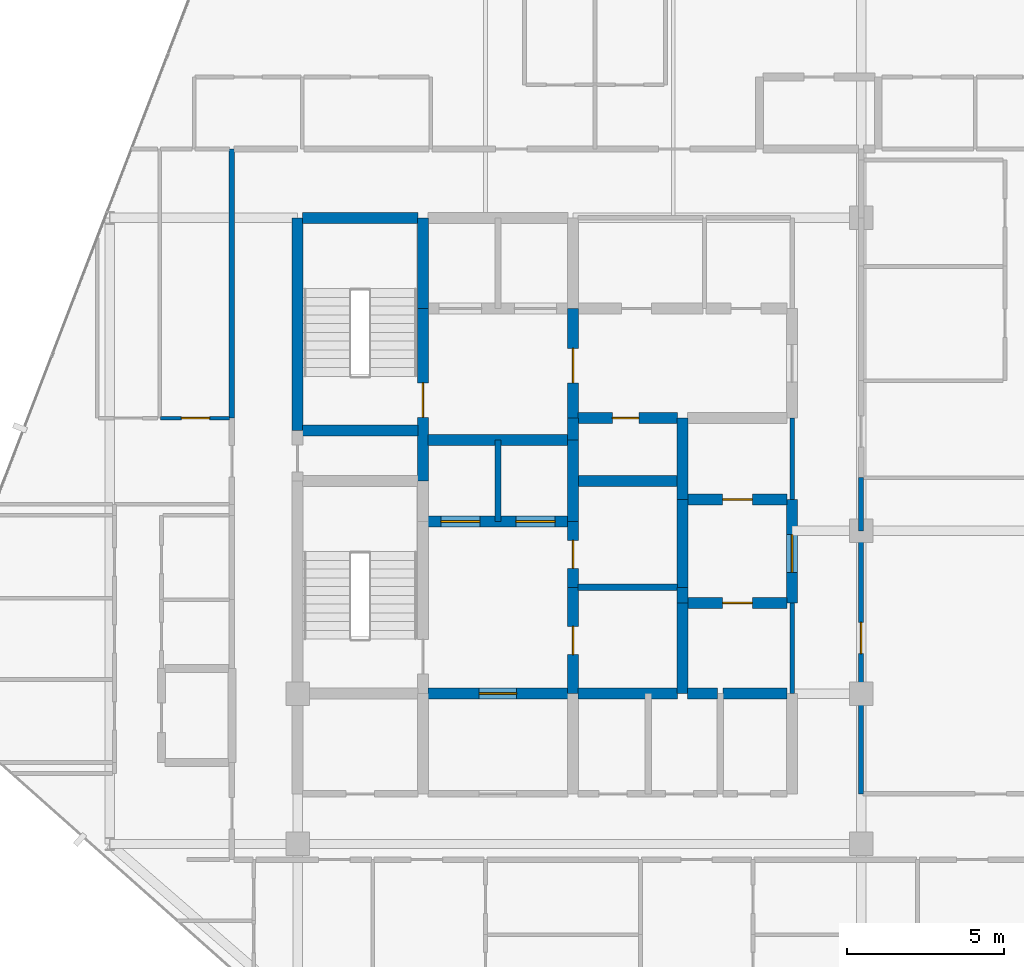
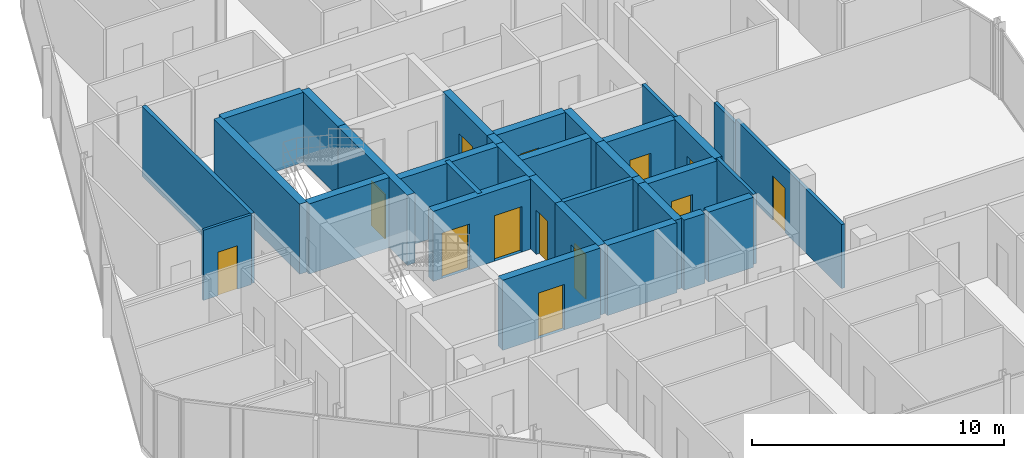
# One storey, part 24 of 28: 33 walls, 13 doors, 13 openings.
"""IFC4 building model written with IfcOpenShell, lengths in metres."""

from ifc_helpers import new_model, si_unit, direction, frame, frame_2d, origin, place, context, subcontext, project, spatial, rectangle, extrude, material, layer, layer_set, type_object, element, fill, save


model = new_model("IFC4")

# Units and contexts
model_context = context("Model", 3, precision=1e-05, world=origin(), true_north=direction((0.0, 1.0)))
body_context = subcontext(model_context, "Body", "Model", "MODEL_VIEW")
ifc_project = project(units=[si_unit("LENGTHUNIT", "METRE"), si_unit("AREAUNIT", "SQUARE_METRE"), si_unit("VOLUMEUNIT", "CUBIC_METRE"), si_unit("PLANEANGLEUNIT", "RADIAN"), si_unit("MASSUNIT", "GRAM", prefix="KILO")], contexts=[model_context])

# Site, building, storey
site_placement = place(None, origin())
site = spatial("IfcSite", under=ifc_project, at=site_placement, CompositionType="ELEMENT")
building_placement = place(site_placement, origin())
building = spatial("IfcBuilding", under=site, at=building_placement, Name="Keshet Zoharim Tower", CompositionType="ELEMENT")
storey_placement = place(building_placement, frame((0.0, 0.0, 251.0)))
storey = spatial("IfcBuildingStorey", under=building, at=storey_placement, Name="L62", CompositionType="ELEMENT", Elevation=251.0)

# Walls
ifc_material_1 = material(Name="Gypsum Plasterboard", Category="gypsum")
ifc_layer_1 = layer(ifc_material_1, 0.14990234375)
ifc_layer_set_1 = layer_set([ifc_layer_1], Name="Gypsum Plasterboard")
wall_type_1 = type_object("IfcWallType", Name="WL-CLIN-150", PredefinedType="STANDARD", material=ifc_layer_set_1)
wall_1_placement = place(storey_placement, frame((30.800048828125, 22.699951171875, 0.0), z_axis=(0.0, 0.0, 1.0), x_axis=(0.0, 1.0, 0.0)))
element("IfcWall", 1, at=wall_1_placement, inside=storey, type_object=wall_type_1, Name="L62 Interior Wall 068", PredefinedType="STANDARD", context=body_context, shape_type="SweptSolid", body=[
    extrude(rectangle(XDim=2.900146484375, YDim=0.14990234375, at=frame_2d((1.4501953125, 0.0))), origin(), (0.0, 0.0, 1.0), 3.389892578125),
])
wall_2_placement = place(storey_placement, frame((30.800048828125, 28.89990234375, 0.0), z_axis=(0.0, 0.0, 1.0), x_axis=(0.0, 1.0, 0.0)))
element("IfcWall", 2, at=wall_2_placement, inside=storey, type_object=wall_type_1, Name="L62 Interior Wall 070", PredefinedType="STANDARD", context=body_context, shape_type="SweptSolid", body=[
    extrude(rectangle(XDim=2.60009765625, YDim=0.14990234375, at=frame_2d((1.300048828125, 0.0))), origin(), (0.0, 0.0, 1.0), 3.389892578125),
])

# Wall, opening, door
wall_3_placement = place(storey_placement, frame((33.0, 19.5, 0.0), z_axis=(0.0, 0.0, 1.0), x_axis=(0.0, 1.0, 0.0)))
wall_3 = element("IfcWall", 3, at=wall_3_placement, inside=storey, type_object=wall_type_1, Name="L62 Interior Wall 074", PredefinedType="STANDARD", context=body_context, shape_type="SweptSolid", body=[
    extrude(rectangle(XDim=8.39990234375, YDim=0.14990234375, at=frame_2d((4.199951171875, 0.0))), origin(), (0.0, 0.0, 1.0), 3.10009765625),
])
opening_1_placement = place(wall_3_placement, frame((4.47998046875, 0.0, 0.0)))
opening_1 = element("IfcOpeningElement", 4, at=opening_1_placement, cuts=wall_3, Name="Opening D-F310", PredefinedType="OPENING", context=body_context, shape_type="SweptSolid", body=[
    extrude(rectangle(XDim=1.0, YDim=2.14990234375, at=frame_2d((0.5, 1.074951171875))), frame((0.0, 0.0849609375, 0.0), z_axis=(0.0, -1.0, 0.0), x_axis=(1.0, 0.0, 0.0)), (0.0, 0.0, 1.0), 0.169921875),
])
ifc_material_2 = material(Name="Hardwood Timber", Category="wood")
door_type_1 = type_object("IfcDoorType", Name="DR-FD30-100", OperationType="NOTDEFINED", PredefinedType="DOOR", material=ifc_material_2)
door_1_placement = place(opening_1_placement, origin())
door_1 = element("IfcDoor", 5, at=door_1_placement, inside=storey, type_object=door_type_1, Name="L62 South West Residents Services Suite Door 1", OperationType="SINGLE_SWING_RIGHT", OverallHeight=2.14990234375, OverallWidth=1.0, PredefinedType="DOOR", context=body_context, shape_type="SweptSolid", body=[
    extrude(rectangle(XDim=1.0, YDim=2.14990234375, at=frame_2d((0.5, 1.074951171875))), frame((0.0, 0.02490234375, 0.0), z_axis=(0.0, -1.0, 0.0), x_axis=(1.0, 0.0, 0.0)), (0.0, 0.0, 1.0), 0.050048828125),
])
fill(opening_1, door_1)

# Walls
wall_4_placement = place(storey_placement, frame((33.0, 27.89990234375, 0.0), z_axis=(0.0, 0.0, 1.0), x_axis=(0.0, 1.0, 0.0)))
element("IfcWall", 6, at=wall_4_placement, inside=storey, type_object=wall_type_1, Name="L62 Interior Wall 074 Part 2", PredefinedType="STANDARD", context=body_context, shape_type="SweptSolid", body=[
    extrude(rectangle(XDim=1.7001953125, YDim=0.14990234375, at=frame_2d((0.85009765625, 0.0))), origin(), (0.0, 0.0, 1.0), 2.889892578125),
])
ifc_material_3 = material(Name="Concrete C60/75", Category="concrete")
ifc_layer_2 = layer(ifc_material_3, 0.35009765625)
ifc_layer_set_2 = layer_set([ifc_layer_2], Name="Concrete C60/75")
wall_type_2 = type_object("IfcWallType", Name="WL-CORE-350", PredefinedType="SHEAR", material=ifc_layer_set_2)
wall_5_placement = place(storey_placement, frame((15.0, 31.10009765625, 0.0), z_axis=(0.0, 0.0, 1.0), x_axis=(0.0, 1.0, 0.0)))
element("IfcWall", 7, at=wall_5_placement, inside=storey, type_object=wall_type_2, Name="L62 Core Shear Wall 023", PredefinedType="SHEAR", context=body_context, shape_type="SweptSolid", body=[
    extrude(rectangle(XDim=6.7998046875, YDim=0.35009765625, at=frame_2d((3.39990234375, 0.0))), origin(), (0.0, 0.0, 1.0), 3.389892578125),
])

# Wall, opening, door
wall_6_placement = place(storey_placement, frame((19.0, 29.5, 0.0), z_axis=(0.0, 0.0, 1.0), x_axis=(0.0, 1.0, 0.0)))
wall_6 = element("IfcWall", 8, at=wall_6_placement, inside=storey, type_object=wall_type_2, Name="L62 Core Shear Wall 030", PredefinedType="SHEAR", context=body_context, shape_type="SweptSolid", body=[
    extrude(rectangle(XDim=5.5, YDim=0.35009765625, at=frame_2d((2.75, 0.0))), origin(), (0.0, 0.0, 1.0), 3.389892578125),
])
opening_2_placement = place(wall_6_placement, frame((2.02490234375, 0.0, 0.0)))
opening_2 = element("IfcOpeningElement", 9, at=opening_2_placement, cuts=wall_6, Name="Opening D-F611", PredefinedType="OPENING", context=body_context, shape_type="SweptSolid", body=[
    extrude(rectangle(XDim=1.10009765625, YDim=2.14990234375, at=frame_2d((0.550048828125, 1.074951171875))), frame((0.0, 0.18505859375, 0.0), z_axis=(0.0, -1.0, 0.0), x_axis=(1.0, 0.0, 0.0)), (0.0, 0.0, 1.0), 0.3701171875),
])
door_type_2 = type_object("IfcDoorType", Name="DR-FD60-110", OperationType="NOTDEFINED", PredefinedType="DOOR", material=ifc_material_2)
door_2_placement = place(opening_2_placement, origin())
door_2 = element("IfcDoor", 10, at=door_2_placement, inside=storey, type_object=door_type_2, Name="L62 Exit Stair ST-02 Fire Door", OperationType="SINGLE_SWING_RIGHT", OverallHeight=2.14990234375, OverallWidth=1.10009765625, PredefinedType="DOOR", context=body_context, shape_type="SweptSolid", body=[
    extrude(rectangle(XDim=1.10009765625, YDim=2.14990234375, at=frame_2d((0.550048828125, 1.074951171875))), frame((0.0, 0.02490234375, 0.0), z_axis=(0.0, -1.0, 0.0), x_axis=(1.0, 0.0, 0.0)), (0.0, 0.0, 1.0), 0.050048828125),
])
fill(opening_2, door_2)

# Wall
wall_7_placement = place(storey_placement, frame((19.0, 35.0, 0.0), z_axis=(0.0, 0.0, 1.0), x_axis=(0.0, 1.0, 0.0)))
element("IfcWall", 11, at=wall_7_placement, inside=storey, type_object=wall_type_2, Name="L62 Core Shear Wall 031", PredefinedType="SHEAR", context=body_context, shape_type="SweptSolid", body=[
    extrude(rectangle(XDim=2.89990234375, YDim=0.35009765625, at=frame_2d((1.449951171875, 0.0))), origin(), (0.0, 0.0, 1.0), 3.389892578125),
])

# Wall, opening, door
wall_8_placement = place(storey_placement, frame((23.800048828125, 22.699951171875, 0.0), z_axis=(0.0, 0.0, 1.0), x_axis=(0.0, 1.0, 0.0)))
wall_8 = element("IfcWall", 12, at=wall_8_placement, inside=storey, type_object=wall_type_2, Name="L62 Core Shear Wall 042", PredefinedType="SHEAR", context=body_context, shape_type="SweptSolid", body=[
    extrude(rectangle(XDim=3.400146484375, YDim=0.35009765625, at=frame_2d((1.7001953125, 0.0))), origin(), (0.0, 0.0, 1.0), 3.389892578125),
])
opening_3_placement = place(wall_8_placement, frame((1.25, 0.0, 0.0)))
opening_3 = element("IfcOpeningElement", 13, at=opening_3_placement, cuts=wall_8, Name="Opening D-F690", PredefinedType="OPENING", context=body_context, shape_type="SweptSolid", body=[
    extrude(rectangle(XDim=0.89990234375, YDim=2.14990234375, at=frame_2d((0.449951171875, 1.074951171875))), frame((0.0, 0.18505859375, 0.0), z_axis=(0.0, -1.0, 0.0), x_axis=(1.0, 0.0, 0.0)), (0.0, 0.0, 1.0), 0.3701171875),
])
door_type_3 = type_object("IfcDoorType", Name="DR-FD60-090", OperationType="NOTDEFINED", PredefinedType="DOOR", material=ifc_material_2)
door_3_placement = place(opening_3_placement, origin())
door_3 = element("IfcDoor", 14, at=door_3_placement, inside=storey, type_object=door_type_3, Name="L62 Core Linen Store Door", OperationType="SINGLE_SWING_LEFT", OverallHeight=2.14990234375, OverallWidth=0.89990234375, PredefinedType="DOOR", context=body_context, shape_type="SweptSolid", body=[
    extrude(rectangle(XDim=0.89990234375, YDim=2.14990234375, at=frame_2d((0.449951171875, 1.074951171875))), frame((0.0, 0.02490234375, 0.0), z_axis=(0.0, -1.0, 0.0), x_axis=(1.0, 0.0, 0.0)), (0.0, 0.0, 1.0), 0.050048828125),
])
fill(opening_3, door_3)

wall_9_placement = place(storey_placement, frame((23.800048828125, 26.10009765625, 0.0), z_axis=(0.0, 0.0, 1.0), x_axis=(0.0, 1.0, 0.0)))
wall_9 = element("IfcWall", 15, at=wall_9_placement, inside=storey, type_object=wall_type_2, Name="L62 Core Shear Wall 043", PredefinedType="SHEAR", context=body_context, shape_type="SweptSolid", body=[
    extrude(rectangle(XDim=2.099853515625, YDim=0.35009765625, at=frame_2d((1.0498046875, 0.0))), origin(), (0.0, 0.0, 1.0), 3.389892578125),
])
opening_4_placement = place(wall_9_placement, frame((0.60009765625, 0.0, 0.0)))
opening_4 = element("IfcOpeningElement", 16, at=opening_4_placement, cuts=wall_9, Name="Opening D-F690", PredefinedType="OPENING", context=body_context, shape_type="SweptSolid", body=[
    extrude(rectangle(XDim=0.89990234375, YDim=2.14990234375, at=frame_2d((0.449951171875, 1.074951171875))), frame((0.0, 0.18505859375, 0.0), z_axis=(0.0, -1.0, 0.0), x_axis=(1.0, 0.0, 0.0)), (0.0, 0.0, 1.0), 0.3701171875),
])
door_4_placement = place(opening_4_placement, origin())
door_4 = element("IfcDoor", 17, at=door_4_placement, inside=storey, type_object=door_type_3, Name="L62 Core Electrical Room Door", OperationType="SINGLE_SWING_RIGHT", OverallHeight=2.14990234375, OverallWidth=0.89990234375, PredefinedType="DOOR", context=body_context, shape_type="SweptSolid", body=[
    extrude(rectangle(XDim=0.89990234375, YDim=2.14990234375, at=frame_2d((0.449951171875, 1.074951171875))), frame((0.0, 0.02490234375, 0.0), z_axis=(0.0, -1.0, 0.0), x_axis=(1.0, 0.0, 0.0)), (0.0, 0.0, 1.0), 0.050048828125),
])
fill(opening_4, door_4)

# Walls
wall_10_placement = place(storey_placement, frame((23.800048828125, 28.199951171875, 0.0), z_axis=(0.0, 0.0, 1.0), x_axis=(0.0, 1.0, 0.0)))
element("IfcWall", 18, at=wall_10_placement, inside=storey, type_object=wall_type_2, Name="L62 Core Shear Wall 044", PredefinedType="SHEAR", context=body_context, shape_type="SweptSolid", body=[
    extrude(rectangle(XDim=2.60009765625, YDim=0.35009765625, at=frame_2d((1.300048828125, 0.0))), origin(), (0.0, 0.0, 1.0), 3.389892578125),
])
wall_11_placement = place(storey_placement, frame((23.800048828125, 30.800048828125, 0.0), z_axis=(0.0, 0.0, 1.0), x_axis=(0.0, 1.0, 0.0)))
element("IfcWall", 19, at=wall_11_placement, inside=storey, type_object=wall_type_2, Name="L62 Core Shear Wall 045", PredefinedType="SHEAR", context=body_context, shape_type="SweptSolid", body=[
    extrude(rectangle(XDim=0.699951171875, YDim=0.35009765625, at=frame_2d((0.35009765625, 0.0))), origin(), (0.0, 0.0, 1.0), 3.389892578125),
])

# Wall, opening, door
wall_12_placement = place(storey_placement, frame((23.800048828125, 31.5, 0.0), z_axis=(0.0, 0.0, 1.0), x_axis=(0.0, 1.0, 0.0)))
wall_12 = element("IfcWall", 20, at=wall_12_placement, inside=storey, type_object=wall_type_2, Name="L62 Core Shear Wall 046", PredefinedType="SHEAR", context=body_context, shape_type="SweptSolid", body=[
    extrude(rectangle(XDim=3.5, YDim=0.35009765625, at=frame_2d((1.75, 0.0))), origin(), (0.0, 0.0, 1.0), 3.389892578125),
])
opening_5_placement = place(wall_12_placement, frame((1.126953125, 0.0, 0.0)))
opening_5 = element("IfcOpeningElement", 21, at=opening_5_placement, cuts=wall_12, Name="Opening D-F611", PredefinedType="OPENING", context=body_context, shape_type="SweptSolid", body=[
    extrude(rectangle(XDim=1.10009765625, YDim=2.14990234375, at=frame_2d((0.550048828125, 1.074951171875))), frame((0.0, 0.18505859375, 0.0), z_axis=(0.0, -1.0, 0.0), x_axis=(1.0, 0.0, 0.0)), (0.0, 0.0, 1.0), 0.3701171875),
])
door_5_placement = place(opening_5_placement, origin())
door_5 = element("IfcDoor", 22, at=door_5_placement, inside=storey, type_object=door_type_2, Name="L62 Firefighting Lobby Fire Door", OperationType="SINGLE_SWING_LEFT", OverallHeight=2.14990234375, OverallWidth=1.10009765625, PredefinedType="DOOR", context=body_context, shape_type="SweptSolid", body=[
    extrude(rectangle(XDim=1.10009765625, YDim=2.14990234375, at=frame_2d((0.550048828125, 1.074951171875))), frame((0.0, 0.02490234375, 0.0), z_axis=(0.0, -1.0, 0.0), x_axis=(1.0, 0.0, 0.0)), (0.0, 0.0, 1.0), 0.050048828125),
])
fill(opening_5, door_5)

# Walls
wall_13_placement = place(storey_placement, frame((27.300048828125, 22.699951171875, 0.0), z_axis=(0.0, 0.0, 1.0), x_axis=(0.0, 1.0, 0.0)))
element("IfcWall", 23, at=wall_13_placement, inside=storey, type_object=wall_type_2, Name="L62 Core Shear Wall 055", PredefinedType="SHEAR", context=body_context, shape_type="SweptSolid", body=[
    extrude(rectangle(XDim=2.900146484375, YDim=0.35009765625, at=frame_2d((1.4501953125, 0.0))), origin(), (0.0, 0.0, 1.0), 3.389892578125),
])
wall_14_placement = place(storey_placement, frame((27.300048828125, 25.60009765625, 0.0), z_axis=(0.0, 0.0, 1.0), x_axis=(0.0, 1.0, 0.0)))
element("IfcWall", 24, at=wall_14_placement, inside=storey, type_object=wall_type_2, Name="L62 Core Shear Wall 056", PredefinedType="SHEAR", context=body_context, shape_type="SweptSolid", body=[
    extrude(rectangle(XDim=0.5, YDim=0.35009765625, at=frame_2d((0.25, 0.0))), origin(), (0.0, 0.0, 1.0), 3.389892578125),
])
wall_15_placement = place(storey_placement, frame((27.300048828125, 26.10009765625, 0.0), z_axis=(0.0, 0.0, 1.0), x_axis=(0.0, 1.0, 0.0)))
element("IfcWall", 25, at=wall_15_placement, inside=storey, type_object=wall_type_2, Name="L62 Core Shear Wall 057", PredefinedType="SHEAR", context=body_context, shape_type="SweptSolid", body=[
    extrude(rectangle(XDim=2.7998046875, YDim=0.35009765625, at=frame_2d((1.39990234375, 0.0))), origin(), (0.0, 0.0, 1.0), 3.389892578125),
])
wall_16_placement = place(storey_placement, frame((27.300048828125, 28.89990234375, 0.0), z_axis=(0.0, 0.0, 1.0), x_axis=(0.0, 1.0, 0.0)))
element("IfcWall", 26, at=wall_16_placement, inside=storey, type_object=wall_type_2, Name="L62 Core Shear Wall 058", PredefinedType="SHEAR", context=body_context, shape_type="SweptSolid", body=[
    extrude(rectangle(XDim=2.60009765625, YDim=0.35009765625, at=frame_2d((1.300048828125, 0.0))), origin(), (0.0, 0.0, 1.0), 3.389892578125),
])

# Wall, opening, door
wall_17_placement = place(storey_placement, frame((30.800048828125, 25.60009765625, 0.0), z_axis=(0.0, 0.0, 1.0), x_axis=(0.0, 1.0, 0.0)))
wall_17 = element("IfcWall", 27, at=wall_17_placement, inside=storey, type_object=wall_type_2, Name="L62 Core Shear Wall 069", PredefinedType="SHEAR", context=body_context, shape_type="SweptSolid", body=[
    extrude(rectangle(XDim=3.2998046875, YDim=0.35009765625, at=frame_2d((1.64990234375, 0.0))), origin(), (0.0, 0.0, 1.0), 3.389892578125),
])
opening_6_placement = place(wall_17_placement, frame((0.97802734375, 0.0, 0.0)))
opening_6 = element("IfcOpeningElement", 28, at=opening_6_placement, cuts=wall_17, Name="Opening D-F612", PredefinedType="OPENING", context=body_context, shape_type="SweptSolid", body=[
    extrude(rectangle(XDim=1.199951171875, YDim=2.199951171875, at=frame_2d((0.60009765625, 1.10009765625))), frame((0.0, 0.18505859375, 0.0), z_axis=(0.0, -1.0, 0.0), x_axis=(1.0, 0.0, 0.0)), (0.0, 0.0, 1.0), 0.3701171875),
])
door_type_4 = type_object("IfcDoorType", Name="DR-FD60-120", OperationType="NOTDEFINED", PredefinedType="DOOR", material=ifc_material_2)
door_6_placement = place(opening_6_placement, origin())
door_6 = element("IfcDoor", 29, at=door_6_placement, inside=storey, type_object=door_type_4, Name="L62 East Lift Lobby Fire Door", OperationType="SINGLE_SWING_RIGHT", OverallHeight=2.199951171875, OverallWidth=1.199951171875, PredefinedType="DOOR", context=body_context, shape_type="SweptSolid", body=[
    extrude(rectangle(XDim=1.199951171875, YDim=2.199951171875, at=frame_2d((0.60009765625, 1.10009765625))), frame((0.0, 0.02490234375, 0.0), z_axis=(0.0, -1.0, 0.0), x_axis=(1.0, 0.0, 0.0)), (0.0, 0.0, 1.0), 0.050048828125),
])
fill(opening_6, door_6)

wall_18_placement = place(storey_placement, frame((19.159912109375, 22.699951171875, 0.0), z_axis=(0.0, 0.0, 1.0), x_axis=(1.0, 0.0, 0.0)))
wall_18 = element("IfcWall", 30, at=wall_18_placement, inside=storey, type_object=wall_type_2, Name="L62 Core Shear Wall 124", PredefinedType="SHEAR", context=body_context, shape_type="SweptSolid", body=[
    extrude(rectangle(XDim=4.47998046875, YDim=0.35009765625, at=frame_2d((2.239990234375, 0.0))), origin(), (0.0, 0.0, 1.0), 3.389892578125),
])
opening_7_placement = place(wall_18_placement, frame((1.639892578125, 0.0, 0.0)))
opening_7 = element("IfcOpeningElement", 31, at=opening_7_placement, cuts=wall_18, Name="Opening D-F612", PredefinedType="OPENING", context=body_context, shape_type="SweptSolid", body=[
    extrude(rectangle(XDim=1.199951171875, YDim=2.199951171875, at=frame_2d((0.60009765625, 1.10009765625))), frame((0.0, 0.18505859375, 0.0), z_axis=(0.0, -1.0, 0.0), x_axis=(1.0, 0.0, 0.0)), (0.0, 0.0, 1.0), 0.3701171875),
])
door_7_placement = place(opening_7_placement, origin())
door_7 = element("IfcDoor", 32, at=door_7_placement, inside=storey, type_object=door_type_4, Name="L62 South Core Lobby Fire Door", OperationType="SINGLE_SWING_RIGHT", OverallHeight=2.199951171875, OverallWidth=1.199951171875, PredefinedType="DOOR", context=body_context, shape_type="SweptSolid", body=[
    extrude(rectangle(XDim=1.199951171875, YDim=2.199951171875, at=frame_2d((0.60009765625, 1.10009765625))), frame((0.0, 0.02490234375, 0.0), z_axis=(0.0, -1.0, 0.0), x_axis=(1.0, 0.0, 0.0)), (0.0, 0.0, 1.0), 0.050048828125),
])
fill(opening_7, door_7)

# Walls
wall_19_placement = place(storey_placement, frame((23.9599609375, 22.699951171875, 0.0), z_axis=(0.0, 0.0, 1.0), x_axis=(1.0, 0.0, 0.0)))
element("IfcWall", 33, at=wall_19_placement, inside=storey, type_object=wall_type_2, Name="L62 Core Shear Wall 125", PredefinedType="SHEAR", context=body_context, shape_type="SweptSolid", body=[
    extrude(rectangle(XDim=3.179931640625, YDim=0.35009765625, at=frame_2d((1.58984375, 0.0))), origin(), (0.0, 0.0, 1.0), 3.389892578125),
])
wall_20_placement = place(storey_placement, frame((27.4599609375, 22.699951171875, 0.0), z_axis=(0.0, 0.0, 1.0), x_axis=(1.0, 0.0, 0.0)))
element("IfcWall", 34, at=wall_20_placement, inside=storey, type_object=wall_type_2, Name="L62 Core Shear Wall 126", PredefinedType="SHEAR", context=body_context, shape_type="SweptSolid", body=[
    extrude(rectangle(XDim=0.955078125, YDim=0.35009765625, at=frame_2d((0.4775390625, 0.0))), origin(), (0.0, 0.0, 1.0), 3.389892578125),
])
wall_21_placement = place(storey_placement, frame((28.5849609375, 22.699951171875, 0.0), z_axis=(0.0, 0.0, 1.0), x_axis=(1.0, 0.0, 0.0)))
element("IfcWall", 35, at=wall_21_placement, inside=storey, type_object=wall_type_2, Name="L62 Core Shear Wall 127", PredefinedType="SHEAR", context=body_context, shape_type="SweptSolid", body=[
    extrude(rectangle(XDim=2.054931640625, YDim=0.35009765625, at=frame_2d((1.02734375, 0.0))), origin(), (0.0, 0.0, 1.0), 3.389892578125),
])

# Wall, opening, door
wall_22_placement = place(storey_placement, frame((27.4599609375, 25.60009765625, 0.0), z_axis=(0.0, 0.0, 1.0), x_axis=(1.0, 0.0, 0.0)))
wall_22 = element("IfcWall", 36, at=wall_22_placement, inside=storey, type_object=wall_type_2, Name="L62 Core Shear Wall 130", PredefinedType="SHEAR", context=body_context, shape_type="SweptSolid", body=[
    extrude(rectangle(XDim=3.179931640625, YDim=0.35009765625, at=frame_2d((1.58984375, 0.0))), origin(), (0.0, 0.0, 1.0), 3.389892578125),
])
opening_8_placement = place(wall_22_placement, frame((1.114990234375, 0.0, 0.0)))
opening_8 = element("IfcOpeningElement", 37, at=opening_8_placement, cuts=wall_22, Name="Opening D-F695", PredefinedType="OPENING", context=body_context, shape_type="SweptSolid", body=[
    extrude(rectangle(XDim=0.949951171875, YDim=2.14990234375, at=frame_2d((0.47509765625, 1.074951171875))), frame((0.0, 0.18505859375, 0.0), z_axis=(0.0, -1.0, 0.0), x_axis=(1.0, 0.0, 0.0)), (0.0, 0.0, 1.0), 0.3701171875),
])
door_type_5 = type_object("IfcDoorType", Name="DR-FD60-095", OperationType="NOTDEFINED", PredefinedType="DOOR", material=ifc_material_2)
door_8_placement = place(opening_8_placement, origin())
door_8 = element("IfcDoor", 38, at=door_8_placement, inside=storey, type_object=door_type_5, Name="L62 Study Alcove Door", OperationType="SINGLE_SWING_LEFT", OverallHeight=2.14990234375, OverallWidth=0.949951171875, PredefinedType="DOOR", context=body_context, shape_type="SweptSolid", body=[
    extrude(rectangle(XDim=0.949951171875, YDim=2.14990234375, at=frame_2d((0.47509765625, 1.074951171875))), frame((0.0, 0.02490234375, 0.0), z_axis=(0.0, -1.0, 0.0), x_axis=(1.0, 0.0, 0.0)), (0.0, 0.0, 1.0), 0.050048828125),
])
fill(opening_8, door_8)

# Wall, openings, doors
wall_23_placement = place(storey_placement, frame((19.159912109375, 28.199951171875, 0.0), z_axis=(0.0, 0.0, 1.0), x_axis=(1.0, 0.0, 0.0)))
wall_23 = element("IfcWall", 39, at=wall_23_placement, inside=storey, type_object=wall_type_2, Name="L62 Core Shear Wall 134", PredefinedType="SHEAR", context=body_context, shape_type="SweptSolid", body=[
    extrude(rectangle(XDim=4.47998046875, YDim=0.35009765625, at=frame_2d((2.239990234375, 0.0))), origin(), (0.0, 0.0, 1.0), 3.389892578125),
])
opening_9_placement = place(wall_23_placement, frame((0.4150390625, 0.0, 0.0)))
opening_9 = element("IfcOpeningElement", 40, at=opening_9_placement, cuts=wall_23, Name="Opening LD-01", PredefinedType="OPENING", context=body_context, shape_type="SweptSolid", body=[
    extrude(rectangle(XDim=1.25, YDim=2.199951171875, at=frame_2d((0.625, 1.10009765625))), frame((0.0, 0.18505859375, 0.0), z_axis=(0.0, -1.0, 0.0), x_axis=(1.0, 0.0, 0.0)), (0.0, 0.0, 1.0), 0.3701171875),
])
opening_10_placement = place(wall_23_placement, frame((2.81494140625, 0.0, 0.0)))
opening_10 = element("IfcOpeningElement", 41, at=opening_10_placement, cuts=wall_23, Name="Opening LD-01", PredefinedType="OPENING", context=body_context, shape_type="SweptSolid", body=[
    extrude(rectangle(XDim=1.25, YDim=2.199951171875, at=frame_2d((0.625, 1.10009765625))), frame((0.0, 0.18505859375, 0.0), z_axis=(0.0, -1.0, 0.0), x_axis=(1.0, 0.0, 0.0)), (0.0, 0.0, 1.0), 0.3701171875),
])
ifc_material_4 = material(Name="Steel S355", Category="steel")
door_type_6 = type_object("IfcDoorType", Name="DR-LD01-125", OperationType="DOUBLE_DOOR_SLIDING", PredefinedType="DOOR", material=ifc_material_4)
door_9_placement = place(opening_9_placement, origin())
door_9 = element("IfcDoor", 42, at=door_9_placement, inside=storey, type_object=door_type_6, Name="L62 Passenger Lift Landing Door LF-09", OperationType="DOUBLE_DOOR_SLIDING", OverallHeight=2.199951171875, OverallWidth=1.25, PredefinedType="DOOR", context=body_context, shape_type="SweptSolid", body=[
    extrude(rectangle(XDim=1.25, YDim=2.199951171875, at=frame_2d((0.625, 1.10009765625))), frame((0.0, 0.02490234375, 0.0), z_axis=(0.0, -1.0, 0.0), x_axis=(1.0, 0.0, 0.0)), (0.0, 0.0, 1.0), 0.050048828125),
])
fill(opening_9, door_9)
door_10_placement = place(opening_10_placement, origin())
door_10 = element("IfcDoor", 43, at=door_10_placement, inside=storey, type_object=door_type_6, Name="L62 Passenger Lift Landing Door LF-10", OperationType="DOUBLE_DOOR_SLIDING", OverallHeight=2.199951171875, OverallWidth=1.25, PredefinedType="DOOR", context=body_context, shape_type="SweptSolid", body=[
    extrude(rectangle(XDim=1.25, YDim=2.199951171875, at=frame_2d((0.625, 1.10009765625))), frame((0.0, 0.02490234375, 0.0), z_axis=(0.0, -1.0, 0.0), x_axis=(1.0, 0.0, 0.0)), (0.0, 0.0, 1.0), 0.050048828125),
])
fill(opening_10, door_10)

# Wall, opening, door
wall_24_placement = place(storey_placement, frame((27.4599609375, 28.89990234375, 0.0), z_axis=(0.0, 0.0, 1.0), x_axis=(1.0, 0.0, 0.0)))
wall_24 = element("IfcWall", 44, at=wall_24_placement, inside=storey, type_object=wall_type_2, Name="L62 Core Shear Wall 139", PredefinedType="SHEAR", context=body_context, shape_type="SweptSolid", body=[
    extrude(rectangle(XDim=3.179931640625, YDim=0.35009765625, at=frame_2d((1.58984375, 0.0))), origin(), (0.0, 0.0, 1.0), 3.389892578125),
])
opening_11_placement = place(wall_24_placement, frame((1.114990234375, 0.0, 0.0)))
opening_11 = element("IfcOpeningElement", 45, at=opening_11_placement, cuts=wall_24, Name="Opening D-F695", PredefinedType="OPENING", context=body_context, shape_type="SweptSolid", body=[
    extrude(rectangle(XDim=0.949951171875, YDim=2.14990234375, at=frame_2d((0.47509765625, 1.074951171875))), frame((0.0, 0.18505859375, 0.0), z_axis=(0.0, -1.0, 0.0), x_axis=(1.0, 0.0, 0.0)), (0.0, 0.0, 1.0), 0.3701171875),
])
door_11_placement = place(opening_11_placement, frame((0.949951171875, 0.0, 0.0), z_axis=(0.0, 0.0, 1.0), x_axis=(-1.0, 0.0, 0.0)))
door_11 = element("IfcDoor", 46, at=door_11_placement, inside=storey, type_object=door_type_5, Name="L62 Parcel Store Door", OperationType="SINGLE_SWING_RIGHT", OverallHeight=2.14990234375, OverallWidth=0.949951171875, PredefinedType="DOOR", context=body_context, shape_type="SweptSolid", body=[
    extrude(rectangle(XDim=0.949951171875, YDim=2.14990234375, at=frame_2d((0.47509765625, 1.074951171875))), frame((0.0, 0.02490234375, 0.0), z_axis=(0.0, -1.0, 0.0), x_axis=(1.0, 0.0, 0.0)), (0.0, 0.0, 1.0), 0.050048828125),
])
fill(opening_11, door_11)

# Walls
wall_25_placement = place(storey_placement, frame((23.9599609375, 29.5, 0.0), z_axis=(0.0, 0.0, 1.0), x_axis=(1.0, 0.0, 0.0)))
element("IfcWall", 47, at=wall_25_placement, inside=storey, type_object=wall_type_2, Name="L62 Core Shear Wall 141", PredefinedType="SHEAR", context=body_context, shape_type="SweptSolid", body=[
    extrude(rectangle(XDim=3.179931640625, YDim=0.35009765625, at=frame_2d((1.58984375, 0.0))), origin(), (0.0, 0.0, 1.0), 3.389892578125),
])
wall_26_placement = place(storey_placement, frame((19.159912109375, 30.800048828125, 0.0), z_axis=(0.0, 0.0, 1.0), x_axis=(1.0, 0.0, 0.0)))
element("IfcWall", 48, at=wall_26_placement, inside=storey, type_object=wall_type_2, Name="L62 Core Shear Wall 143", PredefinedType="SHEAR", context=body_context, shape_type="SweptSolid", body=[
    extrude(rectangle(XDim=4.47998046875, YDim=0.35009765625, at=frame_2d((2.239990234375, 0.0))), origin(), (0.0, 0.0, 1.0), 3.389892578125),
])
wall_27_placement = place(storey_placement, frame((15.159912109375, 31.10009765625, 0.0), z_axis=(0.0, 0.0, 1.0), x_axis=(1.0, 0.0, 0.0)))
element("IfcWall", 49, at=wall_27_placement, inside=storey, type_object=wall_type_2, Name="L62 Core Shear Wall 144", PredefinedType="SHEAR", context=body_context, shape_type="SweptSolid", body=[
    extrude(rectangle(XDim=3.68017578125, YDim=0.35009765625, at=frame_2d((1.840087890625, 0.0))), origin(), (0.0, 0.0, 1.0), 3.389892578125),
])

# Wall, opening, door
wall_28_placement = place(storey_placement, frame((23.9599609375, 31.5, 0.0), z_axis=(0.0, 0.0, 1.0), x_axis=(1.0, 0.0, 0.0)))
wall_28 = element("IfcWall", 50, at=wall_28_placement, inside=storey, type_object=wall_type_2, Name="L62 Core Shear Wall 147", PredefinedType="SHEAR", context=body_context, shape_type="SweptSolid", body=[
    extrude(rectangle(XDim=3.179931640625, YDim=0.35009765625, at=frame_2d((1.58984375, 0.0))), origin(), (0.0, 0.0, 1.0), 3.389892578125),
])
opening_12_placement = place(wall_28_placement, frame((1.093994140625, 0.0, 0.0)))
opening_12 = element("IfcOpeningElement", 51, at=opening_12_placement, cuts=wall_28, Name="Opening D-RS85", PredefinedType="OPENING", context=body_context, shape_type="SweptSolid", body=[
    extrude(rectangle(XDim=0.85009765625, YDim=2.10009765625, at=frame_2d((0.425048828125, 1.050048828125))), frame((0.0, 0.18505859375, 0.0), z_axis=(0.0, -1.0, 0.0), x_axis=(1.0, 0.0, 0.0)), (0.0, 0.0, 1.0), 0.3701171875),
])
door_type_7 = type_object("IfcDoorType", Name="DR-RIS-085", OperationType="NOTDEFINED", PredefinedType="DOOR", material=ifc_material_2)
door_12_placement = place(opening_12_placement, origin())
door_12 = element("IfcDoor", 52, at=door_12_placement, inside=storey, type_object=door_type_7, Name="L62 Telecom Riser Access Cupboard Door", OperationType="SINGLE_SWING_LEFT", OverallHeight=2.10009765625, OverallWidth=0.85009765625, PredefinedType="DOOR", context=body_context, shape_type="SweptSolid", body=[
    extrude(rectangle(XDim=0.85009765625, YDim=2.10009765625, at=frame_2d((0.425048828125, 1.050048828125))), frame((0.0, 0.02490234375, 0.0), z_axis=(0.0, -1.0, 0.0), x_axis=(1.0, 0.0, 0.0)), (0.0, 0.0, 1.0), 0.050048828125),
])
fill(opening_12, door_12)

# Walls
wall_29_placement = place(storey_placement, frame((15.159912109375, 37.89990234375, 0.0), z_axis=(0.0, 0.0, 1.0), x_axis=(1.0, 0.0, 0.0)))
element("IfcWall", 53, at=wall_29_placement, inside=storey, type_object=wall_type_2, Name="L62 Core Shear Wall 156", PredefinedType="SHEAR", context=body_context, shape_type="SweptSolid", body=[
    extrude(rectangle(XDim=3.68017578125, YDim=0.35009765625, at=frame_2d((1.840087890625, 0.0))), origin(), (0.0, 0.0, 1.0), 3.389892578125),
])
ifc_layer_3 = layer(ifc_material_1, 0.179931640625)
ifc_layer_set_3 = layer_set([ifc_layer_3], Name="Gypsum Plasterboard")
wall_type_3 = type_object("IfcWallType", Name="WL-CORR-180", PredefinedType="STANDARD", material=ifc_layer_set_3)
wall_30_placement = place(storey_placement, frame((12.89990234375, 31.5, 0.0), z_axis=(0.0, 0.0, 1.0), x_axis=(0.0, 1.0, 0.0)))
element("IfcWall", 54, at=wall_30_placement, inside=storey, type_object=wall_type_3, Name="L62 Interior Wall 016", PredefinedType="STANDARD", context=body_context, shape_type="SweptSolid", body=[
    extrude(rectangle(XDim=8.60009765625, YDim=0.179931640625, at=frame_2d((4.300048828125, 0.0))), origin(), (0.0, 0.0, 1.0), 3.389892578125),
])
ifc_material_5 = material(Name="Concrete C50/60", Category="concrete")
ifc_layer_4 = layer(ifc_material_5, 0.199951171875)
ifc_layer_set_4 = layer_set([ifc_layer_4], Name="Concrete C50/60")
wall_type_4 = type_object("IfcWallType", Name="WL-FIRE-200", PredefinedType="STANDARD", material=ifc_layer_set_4)
wall_31_placement = place(storey_placement, frame((21.39990234375, 28.199951171875, 0.0), z_axis=(0.0, 0.0, 1.0), x_axis=(0.0, 1.0, 0.0)))
element("IfcWall", 55, at=wall_31_placement, inside=storey, type_object=wall_type_4, Name="L62 Interior Wall 038", PredefinedType="STANDARD", context=body_context, shape_type="SweptSolid", body=[
    extrude(rectangle(XDim=2.60009765625, YDim=0.199951171875, at=frame_2d((1.300048828125, 0.0))), origin(), (0.0, 0.0, 1.0), 3.389892578125),
])
wall_32_placement = place(storey_placement, frame((23.9599609375, 26.10009765625, 0.0), z_axis=(0.0, 0.0, 1.0), x_axis=(1.0, 0.0, 0.0)))
element("IfcWall", 56, at=wall_32_placement, inside=storey, type_object=wall_type_4, Name="L62 Interior Wall 133", PredefinedType="STANDARD", context=body_context, shape_type="SweptSolid", body=[
    extrude(rectangle(XDim=3.179931640625, YDim=0.199951171875, at=frame_2d((1.58984375, 0.0))), origin(), (0.0, 0.0, 1.0), 3.389892578125),
])

# Wall, opening, door
ifc_layer_5 = layer(ifc_material_1, 0.1201171875)
ifc_layer_set_5 = layer_set([ifc_layer_5], Name="Gypsum Plasterboard")
wall_type_5 = type_object("IfcWallType", Name="WL-WET-120", PredefinedType="PARTITIONING", material=ifc_layer_set_5)
wall_33_placement = place(storey_placement, frame((10.623046875, 31.5, 0.0), z_axis=(0.0, 0.0, 1.0), x_axis=(1.0, 0.0, 0.0)))
wall_33 = element("IfcWall", 57, at=wall_33_placement, inside=storey, type_object=wall_type_5, Name="L62 Interior Wall 146", PredefinedType="PARTITIONING", context=body_context, shape_type="SweptSolid", body=[
    extrude(rectangle(XDim=2.201904296875, YDim=0.1201171875, at=frame_2d((1.10107421875, 0.0))), origin(), (0.0, 0.0, 1.0), 3.389892578125),
])
opening_13_placement = place(wall_33_placement, frame((0.666015625, 0.0, 0.0)))
opening_13 = element("IfcOpeningElement", 58, at=opening_13_placement, cuts=wall_33, Name="Opening D-WT90", PredefinedType="OPENING", context=body_context, shape_type="SweptSolid", body=[
    extrude(rectangle(XDim=0.89990234375, YDim=2.10009765625, at=frame_2d((0.449951171875, 1.050048828125))), frame((0.0, 0.070068359375, 0.0), z_axis=(0.0, -1.0, 0.0), x_axis=(1.0, 0.0, 0.0)), (0.0, 0.0, 1.0), 0.14013671875),
])
door_type_8 = type_object("IfcDoorType", Name="DR-WET-090", OperationType="NOTDEFINED", PredefinedType="DOOR", material=ifc_material_2)
door_13_placement = place(opening_13_placement, origin())
door_13 = element("IfcDoor", 59, at=door_13_placement, inside=storey, type_object=door_type_8, Name="Apartment 6208 Bathroom Door", OperationType="SINGLE_SWING_RIGHT", OverallHeight=2.10009765625, OverallWidth=0.89990234375, PredefinedType="DOOR", context=body_context, shape_type="SweptSolid", body=[
    extrude(rectangle(XDim=0.89990234375, YDim=2.10009765625, at=frame_2d((0.449951171875, 1.050048828125))), frame((0.0, 0.02490234375, 0.0), z_axis=(0.0, -1.0, 0.0), x_axis=(1.0, 0.0, 0.0)), (0.0, 0.0, 1.0), 0.050048828125),
])
fill(opening_13, door_13)

save(model, "model.ifc")
